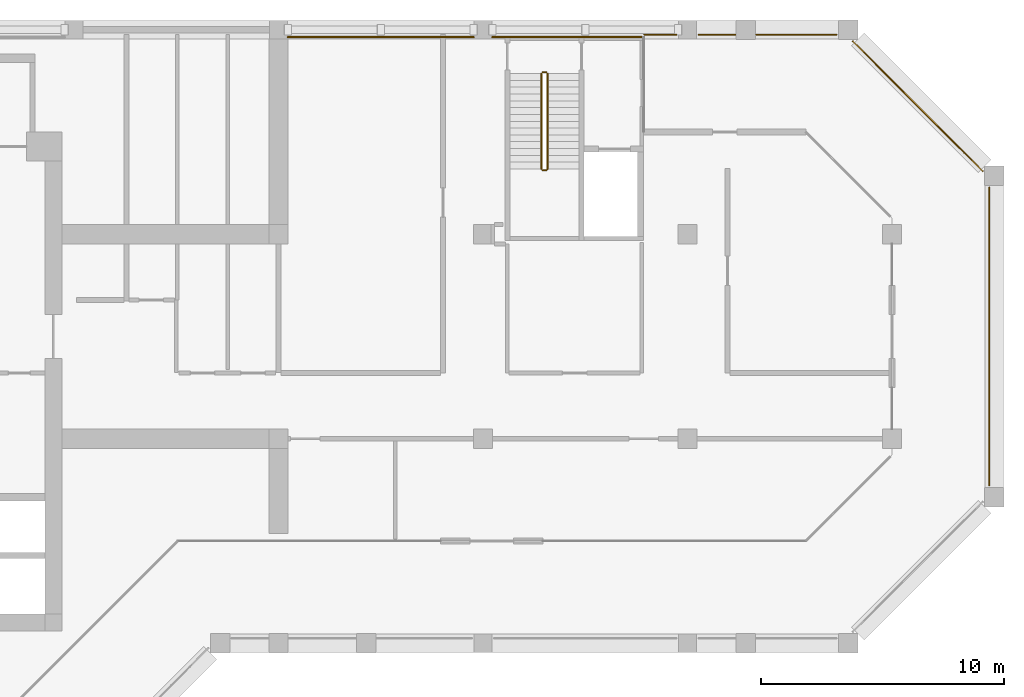
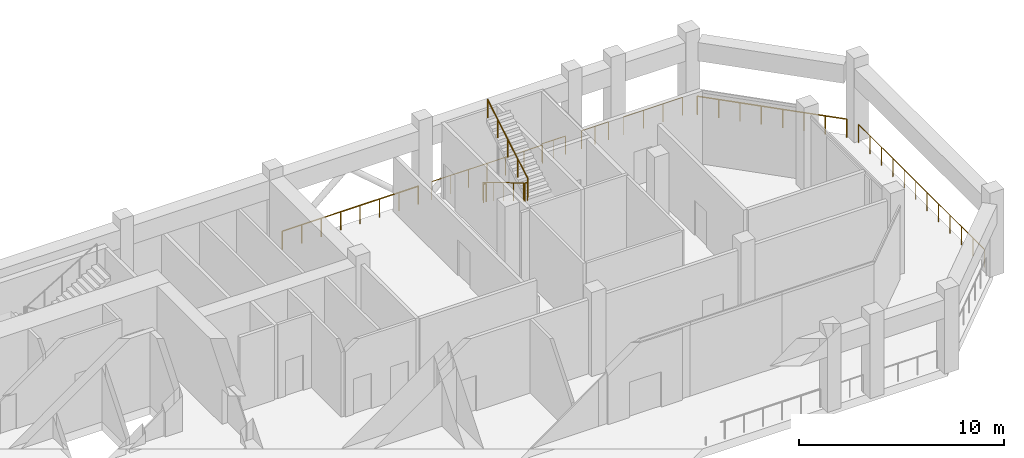
# One storey, part 16 of 16: 11 railings.
"""IFC4 building model written with IfcOpenShell, lengths in metres."""

import ifcopenshell
import ifcopenshell.guid

model = None  # the IFC model being written
_history = None  # IfcOwnerHistory: only IFC2X3 demands one
_inside = {}  # id of a spatial element -> (the spatial element, [elements in it])
_under = {}  # id of a project, library or spatial element -> (it, [spatial elements below it])
_declared = {}  # id of a project -> (the project, [libraries it declares])
_typed = {}  # id of a type object -> (the type object, [elements of that type])
_made_of = {}  # id of a material, layer set ... -> (it, [elements and type objects made of it])


def new_model(schema):
    """Start an empty IFC model of exactly this schema.

    Asked for "IFC4X3", IfcOpenShell would pick the latest addendum, in which some entities
    have other attributes; the version numbers below select the first issue.
    IFC2X3 requires an IfcOwnerHistory on every rooted entity: one is made here for all.
    """
    global model, _history
    if schema == "IFC4X3":
        model = ifcopenshell.file(schema_version=(4, 3, 0, 0))
    else:
        model = ifcopenshell.file(schema=schema)
    _inside.clear()
    _under.clear()
    _declared.clear()
    _typed.clear()
    _made_of.clear()
    _history = None
    if model.schema == "IFC2X3":
        org = make("IfcOrganization", Name="unknown")
        user = make(
            "IfcPersonAndOrganization",
            ThePerson=make("IfcPerson", FamilyName="unknown"),
            TheOrganization=org,
        )
        app = make(
            "IfcApplication",
            ApplicationDeveloper=org,
            Version="unknown",
            ApplicationFullName="unknown",
            ApplicationIdentifier="unknown",
        )
        _history = make(
            "IfcOwnerHistory",
            OwningUser=user,
            OwningApplication=app,
            ChangeAction="ADDED",
            CreationDate=0,
        )
    return model


def make(cls, **values):
    """One entity of the class cls with the attributes given. An attribute that is None is left unset."""
    return model.create_entity(
        cls, **{name: value for name, value in values.items() if value is not None}
    )


def rooted(cls, **values):
    """An entity with a GlobalId (a new one), such as an element, a storey or a relation."""
    return make(cls, GlobalId=ifcopenshell.guid.new(), OwnerHistory=_history, **values)


def si_unit(unit_type, name, prefix=None):
    """IfcSIUnit, for example si_unit("LENGTHUNIT", "METRE", prefix="MILLI")."""
    return make("IfcSIUnit", UnitType=unit_type, Prefix=prefix, Name=name)


def assignment(units):
    """IfcUnitAssignment: the units of a project."""
    return None if units is None else make("IfcUnitAssignment", Units=units)


def point(xyz):
    """IfcCartesianPoint."""
    return None if xyz is None else make("IfcCartesianPoint", Coordinates=xyz)


def direction(xyz):
    """IfcDirection."""
    return None if xyz is None else make("IfcDirection", DirectionRatios=xyz)


def frame(location, z_axis=None, x_axis=None):
    """IfcAxis2Placement3D, a coordinate frame: its origin and axes. An axis left out is left unset."""
    return make(
        "IfcAxis2Placement3D",
        Location=point(location),
        Axis=direction(z_axis),
        RefDirection=direction(x_axis),
    )


def frame_2d(location, x_axis=None):
    """IfcAxis2Placement2D, a coordinate frame in the plane: its origin and x axis."""
    return make(
        "IfcAxis2Placement2D", Location=point(location), RefDirection=direction(x_axis)
    )


def origin():
    """The frame at (0, 0, 0) with its axes left unset."""
    return frame((0.0, 0.0, 0.0))


def origin_2d():
    """The frame at (0, 0) in the plane with its x axis left unset."""
    return frame_2d((0.0, 0.0))


def place(relative_to, where):
    """IfcLocalPlacement: puts the frame where relative to a parent placement (None: the world)."""
    return make(
        "IfcLocalPlacement", PlacementRelTo=relative_to, RelativePlacement=where
    )


def context(
    kind, dimensions, precision=None, world=None, true_north=None, identifier=None
):
    """IfcGeometricRepresentationContext, for example the 3D "Model" context."""
    return make(
        "IfcGeometricRepresentationContext",
        ContextIdentifier=identifier,
        ContextType=kind,
        CoordinateSpaceDimension=dimensions,
        Precision=precision,
        WorldCoordinateSystem=world,
        TrueNorth=true_north,
    )


def subcontext(parent, identifier, kind, view, scale=None):
    """IfcGeometricRepresentationSubContext, for example "Body" below "Model"."""
    return make(
        "IfcGeometricRepresentationSubContext",
        ContextIdentifier=identifier,
        ContextType=kind,
        ParentContext=parent,
        TargetScale=scale,
        TargetView=view,
    )


def project(units=None, contexts=None):
    """IfcProject with its units and contexts."""
    return rooted(
        "IfcProject",
        Name="project",
        RepresentationContexts=contexts,
        UnitsInContext=assignment(units),
    )


def spatial(cls, under=None, at=None, **own):
    """A site, building, storey or space (cls), placed at a placement, below another one or the project."""
    s = rooted(cls, ObjectPlacement=at, **own)
    if under is not None:
        _under.setdefault(under.id(), (under, []))[1].append(s)
    return s


def profile(cls, at=None, kind="AREA", **sizes):
    """A parametric profile (cls). Its sizes go by their IFC names, for example OverallWidth=200.0."""
    return make(cls, ProfileType=kind, Position=at, **sizes)


def circle(**sizes):
    """IfcCircleProfileDef."""
    return profile("IfcCircleProfileDef", **sizes)


def extrude(swept, where, along, depth):
    """IfcExtrudedAreaSolid: the profile swept, set in the frame where, extruded along a direction by depth."""
    return make(
        "IfcExtrudedAreaSolid",
        SweptArea=swept,
        Position=where,
        ExtrudedDirection=direction(along),
        Depth=depth,
    )


def shape(context_of_items, identifier, shape_type, items):
    """IfcShapeRepresentation: the items that make up one representation, for example the "Body"."""
    return make(
        "IfcShapeRepresentation",
        ContextOfItems=context_of_items,
        RepresentationIdentifier=identifier,
        RepresentationType=shape_type,
        Items=items,
    )


def material(Name=None, Category=None):
    """IfcMaterial."""
    return make("IfcMaterial", Name=Name, Category=Category)


def made_of(thing, what):
    """Note that an element or type object is made of a material, layer set ...; save() writes the relation."""
    if what is not None:
        _made_of.setdefault(what.id(), (what, []))[1].append(thing)
    return thing


def type_object(cls, material=None, **own):
    """A type object (cls), such as IfcWallType, which elements share."""
    return made_of(rooted(cls, **own), material)


def element(
    cls,
    number,
    at=None,
    inside=None,
    cuts=None,
    type_object=None,
    material=None,
    context=None,
    identifier="Body",
    shape_type=None,
    held_by="IfcProductDefinitionShape",
    body=None,
    shapes=None,
    **own,
):
    """One element of the class cls, such as IfcWall. Its Tag is "e" and its number.

    at: its placement. inside: the storey or other place that contains it. cuts: it is an
    opening in that element (IfcRelVoidsElement). A single representation is given by context,
    identifier, shape_type and body (its items); several are given by shapes. held_by: the class
    of the entity that holds the representations. save() writes the other relations.
    """
    e = rooted(cls, Tag="e%d" % number, ObjectPlacement=at, **own)
    if body is not None:
        shapes = [shape(context, identifier, shape_type, body)]
    if shapes is not None:
        e.Representation = make(held_by, Representations=shapes)
    if inside is not None:
        _inside.setdefault(inside.id(), (inside, []))[1].append(e)
    if cuts is not None:
        rooted(
            "IfcRelVoidsElement", RelatingBuildingElement=cuts, RelatedOpeningElement=e
        )
    if type_object is not None:
        _typed.setdefault(type_object.id(), (type_object, []))[1].append(e)
    return made_of(e, material)


def aggregate(whole, parts):
    """IfcRelAggregates: a whole, such as a stair, and the parts it consists of."""
    return rooted("IfcRelAggregates", RelatingObject=whole, RelatedObjects=parts)


def save(model, path):
    """Write the relations noted so far, then the file.

    IfcRelAggregates (storeys below a building ...), IfcRelContainedInSpatialStructure (elements
    in a storey), IfcRelDefinesByType, IfcRelAssociatesMaterial and IfcRelDeclares: one each for
    every whole, place, type object, material and project.
    """
    for whole, parts in _under.values():
        aggregate(whole, parts)
    for where, things in _inside.values():
        rooted(
            "IfcRelContainedInSpatialStructure",
            RelatedElements=things,
            RelatingStructure=where,
        )
    for kind, things in _typed.values():
        rooted("IfcRelDefinesByType", RelatedObjects=things, RelatingType=kind)
    for what, things in _made_of.values():
        rooted("IfcRelAssociatesMaterial", RelatedObjects=things, RelatingMaterial=what)
    for by, libraries in _declared.values():
        rooted("IfcRelDeclares", RelatingContext=by, RelatedDefinitions=libraries)
    model.write(path)


model = new_model("IFC4")

# Units and contexts
model_context = context("Model", 3, precision=1e-05, world=origin(), true_north=direction((0.0, 1.0)))
body_context = subcontext(model_context, "Body", "Model", "MODEL_VIEW")
ifc_project = project(units=[si_unit("LENGTHUNIT", "METRE"), si_unit("AREAUNIT", "SQUARE_METRE"), si_unit("VOLUMEUNIT", "CUBIC_METRE"), si_unit("PLANEANGLEUNIT", "RADIAN"), si_unit("MASSUNIT", "GRAM", prefix="KILO")], contexts=[model_context])

# Site, building, storey
site_placement = place(None, origin())
site = spatial("IfcSite", under=ifc_project, at=site_placement, CompositionType="ELEMENT")
building_placement = place(site_placement, origin())
building = spatial("IfcBuilding", under=site, at=building_placement, Name="Kawkab Arch Medical Tower", CompositionType="ELEMENT")
storey_placement = place(building_placement, frame((0.0, 0.0, 272.60009765625)))
storey = spatial("IfcBuildingStorey", under=building, at=storey_placement, Name="L63", CompositionType="ELEMENT", Elevation=272.60009765625)

# Railings
ifc_material_1 = material(Name="Bronze anodised aluminium guard", Category="aluminium")
railing_type_1 = type_object("IfcRailingType", Name="Loggia and terrace guard 1100", PredefinedType="GUARDRAIL", material=ifc_material_1)
railing_1_placement = place(storey_placement, frame((48.60107421875, -0.300048828125, 0.0)))
element("IfcRailing", 1, at=railing_1_placement, inside=storey, type_object=railing_type_1, Name="Band guard L63.R20.1", PredefinedType="GUARDRAIL", context=body_context, shape_type="SweptSolid", body=[
    extrude(circle(Radius=0.02392578125, at=origin_2d()), frame((0.0, 0.0, 1.076171875), z_axis=(-1.0, 0.0, 0.0), x_axis=(0.0, -1.0, 0.0)), (0.0, 0.0, 1.0), 6.22607421875),
    extrude(circle(Radius=0.02099609375, at=origin_2d()), origin(), (0.0, 0.0, 1.0), 1.052001953125),
    extrude(circle(Radius=0.02099609375, at=origin_2d()), frame((-1.03759765625, 0.0, 0.0)), (0.0, 0.0, 1.0), 1.052001953125),
    extrude(circle(Radius=0.02099609375, at=origin_2d()), frame((-2.075439453125, 0.0, 0.0)), (0.0, 0.0, 1.0), 1.052001953125),
    extrude(circle(Radius=0.02099609375, at=origin_2d()), frame((-3.113037109375, 0.0, 0.0)), (0.0, 0.0, 1.0), 1.052001953125),
    extrude(circle(Radius=0.02099609375, at=origin_2d()), frame((-4.150634765625, 0.0, 0.0)), (0.0, 0.0, 1.0), 1.052001953125),
    extrude(circle(Radius=0.02099609375, at=origin_2d()), frame((-5.1884765625, 0.0, 0.0)), (0.0, 0.0, 1.0), 1.052001953125),
    extrude(circle(Radius=0.02099609375, at=origin_2d()), frame((-6.22607421875, 0.0, 0.0)), (0.0, 0.0, 1.0), 1.052001953125),
])
railing_2_placement = place(storey_placement, frame((41.625, -0.300048828125, 0.0)))
element("IfcRailing", 2, at=railing_2_placement, inside=storey, type_object=railing_type_1, Name="Band guard L63.R20.2", PredefinedType="GUARDRAIL", context=body_context, shape_type="SweptSolid", body=[
    extrude(circle(Radius=0.02392578125, at=origin_2d()), frame((0.0, 0.0, 1.076171875), z_axis=(-1.0, 0.0, 0.0), x_axis=(0.0, -1.0, 0.0)), (0.0, 0.0, 1.0), 7.64990234375),
    extrude(circle(Radius=0.02099609375, at=origin_2d()), origin(), (0.0, 0.0, 1.0), 1.052001953125),
    extrude(circle(Radius=0.02099609375, at=origin_2d()), frame((-1.0927734375, 0.0, 0.0)), (0.0, 0.0, 1.0), 1.052001953125),
    extrude(circle(Radius=0.02099609375, at=origin_2d()), frame((-2.185791015625, 0.0, 0.0)), (0.0, 0.0, 1.0), 1.052001953125),
    extrude(circle(Radius=0.02099609375, at=origin_2d()), frame((-3.278564453125, 0.0, 0.0)), (0.0, 0.0, 1.0), 1.052001953125),
    extrude(circle(Radius=0.02099609375, at=origin_2d()), frame((-4.371337890625, 0.0, 0.0)), (0.0, 0.0, 1.0), 1.052001953125),
    extrude(circle(Radius=0.02099609375, at=origin_2d()), frame((-5.464111328125, 0.0, 0.0)), (0.0, 0.0, 1.0), 1.052001953125),
    extrude(circle(Radius=0.02099609375, at=origin_2d()), frame((-6.55712890625, 0.0, 0.0)), (0.0, 0.0, 1.0), 1.052001953125),
    extrude(circle(Radius=0.02099609375, at=origin_2d()), frame((-7.64990234375, 0.0, 0.0)), (0.0, 0.0, 1.0), 1.052001953125),
])
railing_3_placement = place(storey_placement, frame((48.631103515625, -0.199951171875, 0.0)))
element("IfcRailing", 3, at=railing_3_placement, inside=storey, type_object=railing_type_1, Name="Guard L63.REF-01.2.1", PredefinedType="GUARDRAIL", context=body_context, shape_type="SweptSolid", body=[
    extrude(circle(Radius=0.02392578125, at=origin_2d()), frame((0.0, 0.0, 1.076171875), z_axis=(1.0, 0.0, 0.0), x_axis=(0.0, 1.0, 0.0)), (0.0, 0.0, 1.0), 1.31396484375),
    extrude(circle(Radius=0.02099609375, at=origin_2d()), origin(), (0.0, 0.0, 1.0), 1.052001953125),
    extrude(circle(Radius=0.02099609375, at=origin_2d()), frame((0.656982421875, 0.0, 0.0)), (0.0, 0.0, 1.0), 1.052001953125),
    extrude(circle(Radius=0.02099609375, at=origin_2d()), frame((1.31396484375, 0.0, 0.0)), (0.0, 0.0, 1.0), 1.052001953125),
])
railing_4_placement = place(storey_placement, frame((50.85498046875, -0.199951171875, 0.0)))
element("IfcRailing", 4, at=railing_4_placement, inside=storey, type_object=railing_type_1, Name="Guard L63.REF-01.2.2", PredefinedType="GUARDRAIL", context=body_context, shape_type="SweptSolid", body=[
    extrude(circle(Radius=0.02392578125, at=origin_2d()), frame((0.0, 0.0, 1.076171875), z_axis=(1.0, 0.0, 0.0), x_axis=(0.0, 1.0, 0.0)), (0.0, 0.0, 1.0), 1.51513671875),
    extrude(circle(Radius=0.02099609375, at=origin_2d()), origin(), (0.0, 0.0, 1.0), 1.052001953125),
    extrude(circle(Radius=0.02099609375, at=origin_2d()), frame((0.757568359375, 0.0, 0.0)), (0.0, 0.0, 1.0), 1.052001953125),
    extrude(circle(Radius=0.02099609375, at=origin_2d()), frame((1.51513671875, 0.0, 0.0)), (0.0, 0.0, 1.0), 1.052001953125),
])
railing_5_placement = place(storey_placement, frame((53.22998046875, -0.199951171875, 0.0)))
element("IfcRailing", 5, at=railing_5_placement, inside=storey, type_object=railing_type_1, Name="Guard L63.REF-01.2.3", PredefinedType="GUARDRAIL", context=body_context, shape_type="SweptSolid", body=[
    extrude(circle(Radius=0.02392578125, at=origin_2d()), frame((0.0, 0.0, 1.076171875), z_axis=(1.0, 0.0, 0.0), x_axis=(0.0, 1.0, 0.0)), (0.0, 0.0, 1.0), 3.2900390625),
    extrude(circle(Radius=0.02099609375, at=origin_2d()), origin(), (0.0, 0.0, 1.0), 1.052001953125),
    extrude(circle(Radius=0.02099609375, at=origin_2d()), frame((1.0966796875, 0.0, 0.0)), (0.0, 0.0, 1.0), 1.052001953125),
    extrude(circle(Radius=0.02099609375, at=origin_2d()), frame((2.193359375, 0.0, 0.0)), (0.0, 0.0, 1.0), 1.052001953125),
    extrude(circle(Radius=0.02099609375, at=origin_2d()), frame((3.2900390625, 0.0, 0.0)), (0.0, 0.0, 1.0), 1.052001953125),
])
railing_6_placement = place(storey_placement, frame((57.197021484375, -0.47998046875, 0.0)))
element("IfcRailing", 6, at=railing_6_placement, inside=storey, type_object=railing_type_1, Name="Guard L63.REF-01.2.4", PredefinedType="GUARDRAIL", context=body_context, shape_type="SweptSolid", body=[
    extrude(circle(Radius=0.02392578125, at=origin_2d()), frame((0.0, 0.0, 1.076171875), z_axis=(0.707106781187, -0.707106781187, 0.0), x_axis=(0.707106781187, 0.707106781187, 0.0)), (0.0, 0.0, 1.0), 7.52783203125),
    extrude(circle(Radius=0.02099609375, at=origin_2d()), origin(), (0.0, 0.0, 1.0), 1.052001953125),
    extrude(circle(Radius=0.02099609375, at=origin_2d()), frame((0.760498046875, -0.760498046875, 0.0)), (0.0, 0.0, 1.0), 1.052001953125),
    extrude(circle(Radius=0.02099609375, at=origin_2d()), frame((1.520751953125, -1.520751953125, 0.0)), (0.0, 0.0, 1.0), 1.052001953125),
    extrude(circle(Radius=0.02099609375, at=origin_2d()), frame((2.28125, -2.28125, 0.0)), (0.0, 0.0, 1.0), 1.052001953125),
    extrude(circle(Radius=0.02099609375, at=origin_2d()), frame((3.041748046875, -3.041748046875, 0.0)), (0.0, 0.0, 1.0), 1.052001953125),
    extrude(circle(Radius=0.02099609375, at=origin_2d()), frame((3.80224609375, -3.80224609375, 0.0)), (0.0, 0.0, 1.0), 1.052001953125),
    extrude(circle(Radius=0.02099609375, at=origin_2d()), frame((4.5625, -4.5625, 0.0)), (0.0, 0.0, 1.0), 1.052001953125),
    extrude(circle(Radius=0.02099609375, at=origin_2d()), frame((5.322998046875, -5.322998046875, 0.0)), (0.0, 0.0, 1.0), 1.052001953125),
])
railing_7_placement = place(storey_placement, frame((62.800048828125, -6.47998046875, 0.0)))
element("IfcRailing", 7, at=railing_7_placement, inside=storey, type_object=railing_type_1, Name="Guard L63.REF-01.2.5", PredefinedType="GUARDRAIL", context=body_context, shape_type="SweptSolid", body=[
    extrude(circle(Radius=0.02392578125, at=origin_2d()), frame((0.0, 0.0, 1.076171875), z_axis=(0.0, -1.0, 0.0), x_axis=(1.0, 0.0, 0.0)), (0.0, 0.0, 1.0), 12.239990234375),
    extrude(circle(Radius=0.02099609375, at=origin_2d()), origin(), (0.0, 0.0, 1.0), 1.052001953125),
    extrude(circle(Radius=0.02099609375, at=origin_2d()), frame((0.0, -1.11279296875, 0.0)), (0.0, 0.0, 1.0), 1.052001953125),
    extrude(circle(Radius=0.02099609375, at=origin_2d()), frame((0.0, -2.225341796875, 0.0)), (0.0, 0.0, 1.0), 1.052001953125),
    extrude(circle(Radius=0.02099609375, at=origin_2d()), frame((0.0, -3.338134765625, 0.0)), (0.0, 0.0, 1.0), 1.052001953125),
    extrude(circle(Radius=0.02099609375, at=origin_2d()), frame((0.0, -4.450927734375, 0.0)), (0.0, 0.0, 1.0), 1.052001953125),
    extrude(circle(Radius=0.02099609375, at=origin_2d()), frame((0.0, -5.563720703125, 0.0)), (0.0, 0.0, 1.0), 1.052001953125),
    extrude(circle(Radius=0.02099609375, at=origin_2d()), frame((0.0, -6.67626953125, 0.0)), (0.0, 0.0, 1.0), 1.052001953125),
    extrude(circle(Radius=0.02099609375, at=origin_2d()), frame((0.0, -7.7890625, 0.0)), (0.0, 0.0, 1.0), 1.052001953125),
    extrude(circle(Radius=0.02099609375, at=origin_2d()), frame((0.0, -8.90185546875, 0.0)), (0.0, 0.0, 1.0), 1.052001953125),
    extrude(circle(Radius=0.02099609375, at=origin_2d()), frame((0.0, -10.0146484375, 0.0)), (0.0, 0.0, 1.0), 1.052001953125),
    extrude(circle(Radius=0.02099609375, at=origin_2d()), frame((0.0, -11.127197265625, 0.0)), (0.0, 0.0, 1.0), 1.052001953125),
    extrude(circle(Radius=0.02099609375, at=origin_2d()), frame((0.0, -12.239990234375, 0.0)), (0.0, 0.0, 1.0), 1.052001953125),
])
ifc_material_2 = material(Name="Stainless steel", Category="steel")
railing_type_2 = type_object("IfcRailingType", Name="Stair guard 1100", PredefinedType="GUARDRAIL", material=ifc_material_2)
railing_8_placement = place(storey_placement, frame((44.39990234375, -1.800048828125, 0.16650390625)))
element("IfcRailing", 8, at=railing_8_placement, inside=storey, type_object=railing_type_2, Name="L63 ST5 stair guard 1", PredefinedType="GUARDRAIL", context=body_context, shape_type="SweptSolid", body=[
    extrude(circle(Radius=0.02392578125, at=origin_2d()), frame((0.0, 0.0, 1.076171875), z_axis=(0.0, -0.859272722373, 0.511517730471), x_axis=(1.0, 0.0, 0.0)), (0.0, 0.0, 1.0), 4.56201171875),
    extrude(circle(Radius=0.02099609375, at=origin_2d()), origin(), (0.0, 0.0, 1.0), 1.052001953125),
    extrude(circle(Radius=0.02099609375, at=origin_2d()), frame((0.0, -0.97998046875, 0.58349609375)), (0.0, 0.0, 1.0), 1.052001953125),
    extrude(circle(Radius=0.02099609375, at=origin_2d()), frame((0.0, -1.9599609375, 1.166748046875)), (0.0, 0.0, 1.0), 1.052001953125),
    extrude(circle(Radius=0.02099609375, at=origin_2d()), frame((0.0, -2.93994140625, 1.75)), (0.0, 0.0, 1.0), 1.052001953125),
    extrude(circle(Radius=0.02099609375, at=origin_2d()), frame((0.0, -3.919921875, 2.33349609375)), (0.0, 0.0, 1.0), 1.052001953125),
])
railing_9_placement = place(storey_placement, frame((44.449951171875, -5.77001953125, 2.5)))
element("IfcRailing", 9, at=railing_9_placement, inside=storey, type_object=railing_type_2, Name="L63 ST5 stair guard 2", PredefinedType="GUARDRAIL", context=body_context, shape_type="SweptSolid", body=[
    extrude(circle(Radius=0.02392578125, at=origin_2d()), frame((0.0, 0.0, 1.076171875), z_axis=(1.0, 0.0, 0.0), x_axis=(0.0, 1.0, 0.0)), (0.0, 0.0, 1.0), 0.150146484375),
    extrude(circle(Radius=0.02099609375, at=origin_2d()), origin(), (0.0, 0.0, 1.0), 1.052001953125),
    extrude(circle(Radius=0.02099609375, at=origin_2d()), frame((0.150146484375, 0.0, 0.0)), (0.0, 0.0, 1.0), 1.052001953125),
])
railing_10_placement = place(storey_placement, frame((44.64990234375, -5.719970703125, 2.66650390625)))
element("IfcRailing", 10, at=railing_10_placement, inside=storey, type_object=railing_type_2, Name="L63 ST5 stair guard 3", PredefinedType="GUARDRAIL", context=body_context, shape_type="SweptSolid", body=[
    extrude(circle(Radius=0.02392578125, at=origin_2d()), frame((0.0, 0.0, 1.076171875), z_axis=(0.0, 0.859272722373, 0.511517730471), x_axis=(-1.0, 0.0, 0.0)), (0.0, 0.0, 1.0), 4.56201171875),
    extrude(circle(Radius=0.02099609375, at=origin_2d()), origin(), (0.0, 0.0, 1.0), 1.052001953125),
    extrude(circle(Radius=0.02099609375, at=origin_2d()), frame((0.0, 0.97998046875, 0.58349609375)), (0.0, 0.0, 1.0), 1.052001953125),
    extrude(circle(Radius=0.02099609375, at=origin_2d()), frame((0.0, 1.9599609375, 1.166748046875)), (0.0, 0.0, 1.0), 1.052001953125),
    extrude(circle(Radius=0.02099609375, at=origin_2d()), frame((0.0, 2.93994140625, 1.75)), (0.0, 0.0, 1.0), 1.052001953125),
    extrude(circle(Radius=0.02099609375, at=origin_2d()), frame((0.0, 3.919921875, 2.33349609375)), (0.0, 0.0, 1.0), 1.052001953125),
])
railing_11_placement = place(storey_placement, frame((44.449951171875, -1.75, 0.0)))
element("IfcRailing", 11, at=railing_11_placement, inside=storey, type_object=railing_type_2, Name="L63 ST5 stair guard 4", PredefinedType="GUARDRAIL", context=body_context, shape_type="SweptSolid", body=[
    extrude(circle(Radius=0.02392578125, at=origin_2d()), frame((0.0, 0.0, 1.076171875), z_axis=(1.0, 0.0, 0.0), x_axis=(0.0, 1.0, 0.0)), (0.0, 0.0, 1.0), 0.150146484375),
    extrude(circle(Radius=0.02099609375, at=origin_2d()), origin(), (0.0, 0.0, 1.0), 1.052001953125),
    extrude(circle(Radius=0.02099609375, at=origin_2d()), frame((0.150146484375, 0.0, 0.0)), (0.0, 0.0, 1.0), 1.052001953125),
])

save(model, "model.ifc")
